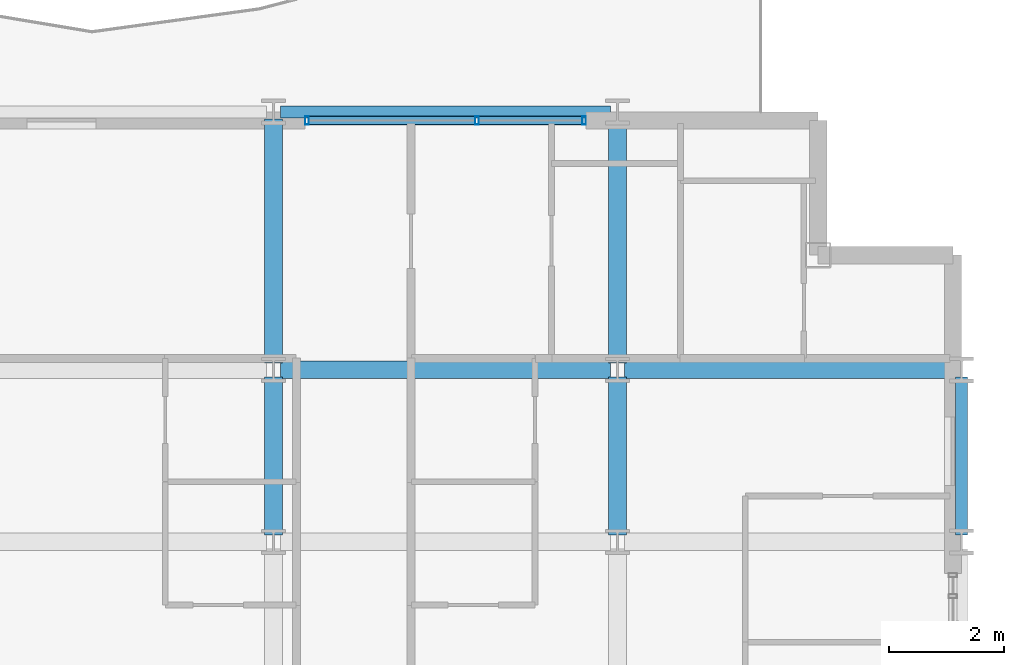
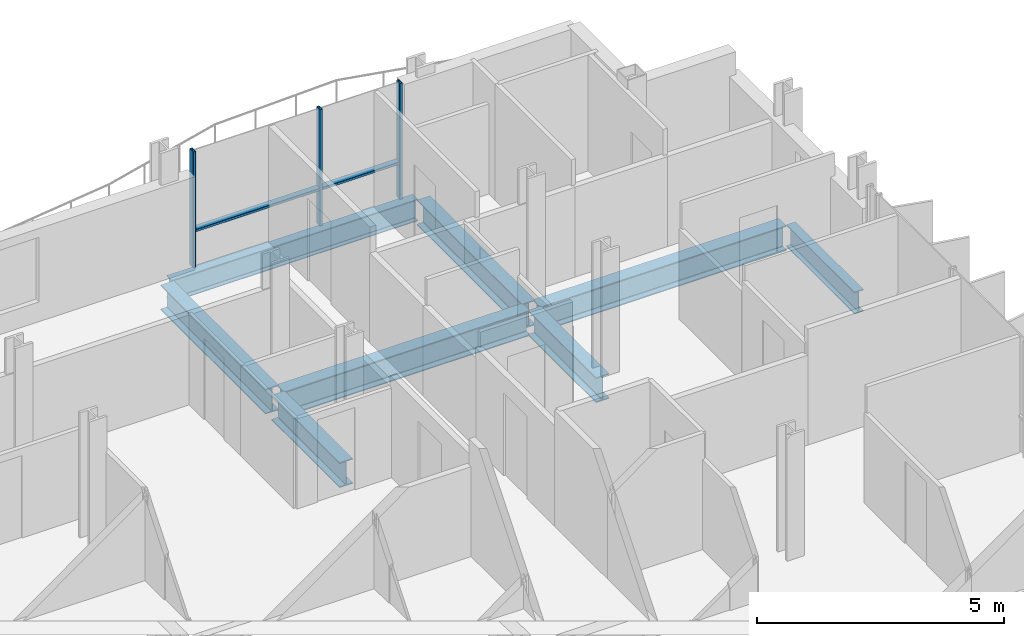
# One storey, part 20 of 39: 8 beams, 5 members, 1 element without a shape of its own.
"""IFC4 building model written with IfcOpenShell, lengths in metres."""

from ifc_helpers import new_model, si_unit, direction, frame, origin, origin_2d, place, context, subcontext, project, spatial, hollow_rectangle, i_section, extrude, material, layer, layer_set, material_profile, profile_set, type_object, element, aggregate, save


model = new_model("IFC4")

# Units and contexts
model_context = context("Model", 3, precision=1e-05, world=origin(), true_north=direction((0.0, 1.0)))
body_context = subcontext(model_context, "Body", "Model", "MODEL_VIEW")
ifc_project = project(units=[si_unit("LENGTHUNIT", "METRE"), si_unit("AREAUNIT", "SQUARE_METRE"), si_unit("VOLUMEUNIT", "CUBIC_METRE"), si_unit("PLANEANGLEUNIT", "RADIAN"), si_unit("MASSUNIT", "GRAM", prefix="KILO")], contexts=[model_context])

# Site, building, storey
site_placement = place(None, origin())
site = spatial("IfcSite", under=ifc_project, at=site_placement, CompositionType="ELEMENT")
building_placement = place(site_placement, origin())
building = spatial("IfcBuilding", under=site, at=building_placement, Name="Brevholm Reach", CompositionType="ELEMENT")
storey_placement = place(building_placement, frame((0.0, 0.0, 77.60009765625)))
storey = spatial("IfcBuildingStorey", under=building, at=storey_placement, Name="L22", CompositionType="ELEMENT", Elevation=77.60009765625)

# Beams
ifc_material_1 = material(Name="Structural Steel S355J2", Category="steel")
ifc_material_profile_1 = material_profile(ifc_material_1, i_section(OverallWidth=0.210693359375, OverallDepth=0.53955078125, WebThickness=0.01171875, FlangeThickness=0.018798828125, FilletRadius=0.0126953125, at=origin_2d()), Name="UKB 533x210x109")
ifc_profile_set_1 = profile_set([ifc_material_profile_1], Name="Structural Steel S355J2")
beam_type_1 = type_object("IfcBeamType", Name="BM-SP539", PredefinedType="SPANDREL", material=ifc_profile_set_1)
beam_1_placement = place(storey_placement, frame((48.1201171875, 31.0, -0.499755859375), z_axis=(1.0, 0.0, 0.0), x_axis=(0.0, 1.0, 0.0)))
element("IfcBeam", 1, at=beam_1_placement, inside=storey, type_object=beam_type_1, Name="L22 SP-01B Framing Beam", PredefinedType="SPANDREL", context=body_context, shape_type="SweptSolid", body=[
    extrude(i_section(OverallWidth=0.210693359375, OverallDepth=0.53955078125, WebThickness=0.01171875, FlangeThickness=0.018798828125, FilletRadius=0.0126953125, at=origin_2d()), origin(), (0.0, 0.0, 1.0), 5.759765625),
])
beam_2_placement = place(storey_placement, frame((60.0, 23.6201171875, -0.499755859375), z_axis=(0.0, 1.0, 0.0), x_axis=(-1.0, 0.0, 0.0)))
element("IfcBeam", 2, at=beam_2_placement, inside=storey, type_object=beam_type_1, Name="L22 SP-01B Framing Beam", PredefinedType="SPANDREL", context=body_context, shape_type="SweptSolid", body=[
    extrude(i_section(OverallWidth=0.210693359375, OverallDepth=0.53955078125, WebThickness=0.01171875, FlangeThickness=0.018798828125, FilletRadius=0.0126953125, at=origin_2d()), origin(), (0.0, 0.0, 1.0), 2.759765625),
])
ifc_material_2 = material(Name="Structural Steel S355J2", Category="steel")
ifc_material_profile_2 = material_profile(ifc_material_2, i_section(OverallWidth=0.30712890625, OverallDepth=0.6201171875, WebThickness=0.01416015625, FlangeThickness=0.023681640625, FilletRadius=0.0166015625, at=origin_2d()), Name="UKB 610x305x179")
ifc_profile_set_2 = profile_set([ifc_material_profile_2], Name="Structural Steel S355J2")
beam_type_2 = type_object("IfcBeamType", Name="BM-UKB610H", PredefinedType="USERDEFINED", material=ifc_profile_set_2)
for number, where, z_axis, x_axis, name in (
    (3, (48.1201171875, 26.5, -0.540283203125), (1.0, 0.0, 0.0), (0.0, 1.0, 0.0), "L22 G-06 Framing Beam"),
    (4, (54.1201171875, 26.5, -0.540283203125), (1.0, 0.0, 0.0), (0.0, 1.0, 0.0), "L22 G-06 Framing Beam"),
):
    element("IfcBeam", number, at=place(storey_placement, frame(where, z_axis=z_axis, x_axis=x_axis)), inside=storey, type_object=beam_type_2, Name=name, ObjectType="GIRDER", PredefinedType="USERDEFINED", context=body_context, shape_type="SweptSolid", body=[
        extrude(i_section(OverallWidth=0.30712890625, OverallDepth=0.6201171875, WebThickness=0.01416015625, FlangeThickness=0.023681640625, FilletRadius=0.0166015625, at=origin_2d()), origin(), (0.0, 0.0, 1.0), 5.759765625),
    ])
beam_3_placement = place(storey_placement, frame((48.0, 23.6201171875, -0.540283203125), z_axis=(0.0, 1.0, 0.0), x_axis=(-1.0, 0.0, 0.0)))
element("IfcBeam", 5, at=beam_3_placement, inside=storey, type_object=beam_type_2, Name="L22 G-06 Framing Beam", ObjectType="GIRDER", PredefinedType="USERDEFINED", context=body_context, shape_type="SweptSolid", body=[
    extrude(i_section(OverallWidth=0.30712890625, OverallDepth=0.6201171875, WebThickness=0.01416015625, FlangeThickness=0.023681640625, FilletRadius=0.0166015625, at=origin_2d()), origin(), (0.0, 0.0, 1.0), 2.759765625),
])
beam_4_placement = place(storey_placement, frame((48.0, 26.6201171875, -0.540283203125), z_axis=(0.0, 1.0, 0.0), x_axis=(-1.0, 0.0, 0.0)))
element("IfcBeam", 6, at=beam_4_placement, inside=storey, type_object=beam_type_2, Name="L22 G-06 Framing Beam", ObjectType="GIRDER", PredefinedType="USERDEFINED", context=body_context, shape_type="SweptSolid", body=[
    extrude(i_section(OverallWidth=0.30712890625, OverallDepth=0.6201171875, WebThickness=0.01416015625, FlangeThickness=0.023681640625, FilletRadius=0.0166015625, at=origin_2d()), origin(), (0.0, 0.0, 1.0), 4.259765625),
])
beam_5_placement = place(storey_placement, frame((54.0, 23.6201171875, -0.540283203125), z_axis=(0.0, 1.0, 0.0), x_axis=(-1.0, 0.0, 0.0)))
element("IfcBeam", 7, at=beam_5_placement, inside=storey, type_object=beam_type_2, Name="L22 G-06 Framing Beam", ObjectType="GIRDER", PredefinedType="USERDEFINED", context=body_context, shape_type="SweptSolid", body=[
    extrude(i_section(OverallWidth=0.30712890625, OverallDepth=0.6201171875, WebThickness=0.01416015625, FlangeThickness=0.023681640625, FilletRadius=0.0166015625, at=origin_2d()), origin(), (0.0, 0.0, 1.0), 2.759765625),
])
beam_6_placement = place(storey_placement, frame((54.0, 26.6201171875, -0.540283203125), z_axis=(0.0, 1.0, 0.0), x_axis=(-1.0, 0.0, 0.0)))
element("IfcBeam", 8, at=beam_6_placement, inside=storey, type_object=beam_type_2, Name="L22 G-06 Framing Beam", ObjectType="GIRDER", PredefinedType="USERDEFINED", context=body_context, shape_type="SweptSolid", body=[
    extrude(i_section(OverallWidth=0.30712890625, OverallDepth=0.6201171875, WebThickness=0.01416015625, FlangeThickness=0.023681640625, FilletRadius=0.0166015625, at=origin_2d()), origin(), (0.0, 0.0, 1.0), 4.259765625),
])

# Curtain wall, members
ifc_material_3 = material(Name="Dark Anodised Aluminium 6063-T6 and Solar-Control Glass", Category="aluminium")
ifc_layer = layer(ifc_material_3, 0.14990234375)
ifc_layer_set = layer_set([ifc_layer], Name="Dark Anodised Aluminium 6063-T6 and Solar-Control Glass")
curtain_wall_type = type_object("IfcCurtainWallType", Name="CW-01", PredefinedType="NOTDEFINED", material=ifc_layer_set)
curtain_wall_placement = place(storey_placement, origin())
curtain_wall = element("IfcCurtainWall", 9, at=curtain_wall_placement, inside=storey, type_object=curtain_wall_type, Name="L22 Curtain Wall CW-01", PredefinedType="NOTDEFINED")
ifc_material_4 = material(Name="Dark Anodised Aluminium 6063-T6", Category="aluminium")
ifc_material_profile_3 = material_profile(ifc_material_4, hollow_rectangle(XDim=0.06494140625, YDim=0.14990234375, WallThickness=0.0048828125, InnerFilletRadius=0.0048828125, OuterFilletRadius=0.010009765625, at=origin_2d()), Name="RHS 150x65x5")
ifc_profile_set_3 = profile_set([ifc_material_profile_3], Name="Dark Anodised Aluminium 6063-T6")
member_type_1 = type_object("IfcMemberType", Name="CWM-150", PredefinedType="MULLION", material=ifc_profile_set_3)
member_1_placement = place(storey_placement, frame((48.58251953125, 30.85009765625, 0.0), z_axis=(0.0, 0.0, 1.0), x_axis=(1.0, 0.0, 0.0)))
member_1 = element("IfcMember", 10, at=member_1_placement, type_object=member_type_1, Name="CM-150 Mullion 1", PredefinedType="MULLION", context=body_context, shape_type="SweptSolid", body=[
    extrude(hollow_rectangle(XDim=0.06494140625, YDim=0.14990234375, WallThickness=0.0048828125, InnerFilletRadius=0.0048828125, OuterFilletRadius=0.010009765625, at=origin_2d()), origin(), (0.0, 0.0, 1.0), 2.869873046875),
])
member_2_placement = place(storey_placement, frame((51.550048828125, 30.85009765625, 0.0), z_axis=(0.0, 0.0, 1.0), x_axis=(1.0, 0.0, 0.0)))
member_2 = element("IfcMember", 11, at=member_2_placement, type_object=member_type_1, Name="CM-150 Mullion 2", PredefinedType="MULLION", context=body_context, shape_type="SweptSolid", body=[
    extrude(hollow_rectangle(XDim=0.06494140625, YDim=0.14990234375, WallThickness=0.0048828125, InnerFilletRadius=0.0048828125, OuterFilletRadius=0.010009765625, at=origin_2d()), origin(), (0.0, 0.0, 1.0), 2.869873046875),
])
member_3_placement = place(storey_placement, frame((53.41748046875, 30.85009765625, 0.0), z_axis=(0.0, 0.0, 1.0), x_axis=(1.0, 0.0, 0.0)))
member_3 = element("IfcMember", 12, at=member_3_placement, type_object=member_type_1, Name="CM-150 Mullion 3", PredefinedType="MULLION", context=body_context, shape_type="SweptSolid", body=[
    extrude(hollow_rectangle(XDim=0.06494140625, YDim=0.14990234375, WallThickness=0.0048828125, InnerFilletRadius=0.0048828125, OuterFilletRadius=0.010009765625, at=origin_2d()), origin(), (0.0, 0.0, 1.0), 2.869873046875),
])
ifc_material_5 = material(Name="Dark Anodised Aluminium 6063-T6", Category="aluminium")
ifc_material_profile_4 = material_profile(ifc_material_5, hollow_rectangle(XDim=0.06494140625, YDim=0.14990234375, WallThickness=0.0048828125, InnerFilletRadius=0.0048828125, OuterFilletRadius=0.010009765625, at=origin_2d()), Name="RHS 150x65x5")
ifc_profile_set_4 = profile_set([ifc_material_profile_4], Name="Dark Anodised Aluminium 6063-T6")
member_type_2 = type_object("IfcMemberType", Name="CWT-150", PredefinedType="NOTDEFINED", material=ifc_profile_set_4)
member_4_placement = place(storey_placement, frame((48.614990234375, 30.85009765625, 0.89990234375), z_axis=(1.0, 0.0, 0.0), x_axis=(0.0, 0.0, 1.0)))
member_4 = element("IfcMember", 13, at=member_4_placement, type_object=member_type_2, Name="CT-150 Transom 1.1", ObjectType="TRANSOM", PredefinedType="USERDEFINED", context=body_context, shape_type="SweptSolid", body=[
    extrude(hollow_rectangle(XDim=0.06494140625, YDim=0.14990234375, WallThickness=0.0048828125, InnerFilletRadius=0.0048828125, OuterFilletRadius=0.010009765625, at=origin_2d()), origin(), (0.0, 0.0, 1.0), 2.902587890625),
])
member_5_placement = place(storey_placement, frame((51.58251953125, 30.85009765625, 0.89990234375), z_axis=(1.0, 0.0, 0.0), x_axis=(0.0, 0.0, 1.0)))
member_5 = element("IfcMember", 14, at=member_5_placement, type_object=member_type_2, Name="CT-150 Transom 2.1", ObjectType="TRANSOM", PredefinedType="USERDEFINED", context=body_context, shape_type="SweptSolid", body=[
    extrude(hollow_rectangle(XDim=0.06494140625, YDim=0.14990234375, WallThickness=0.0048828125, InnerFilletRadius=0.0048828125, OuterFilletRadius=0.010009765625, at=origin_2d()), origin(), (0.0, 0.0, 1.0), 1.802490234375),
])
aggregate(curtain_wall, [member_1, member_2, member_3, member_4, member_5])

save(model, "model.ifc")
